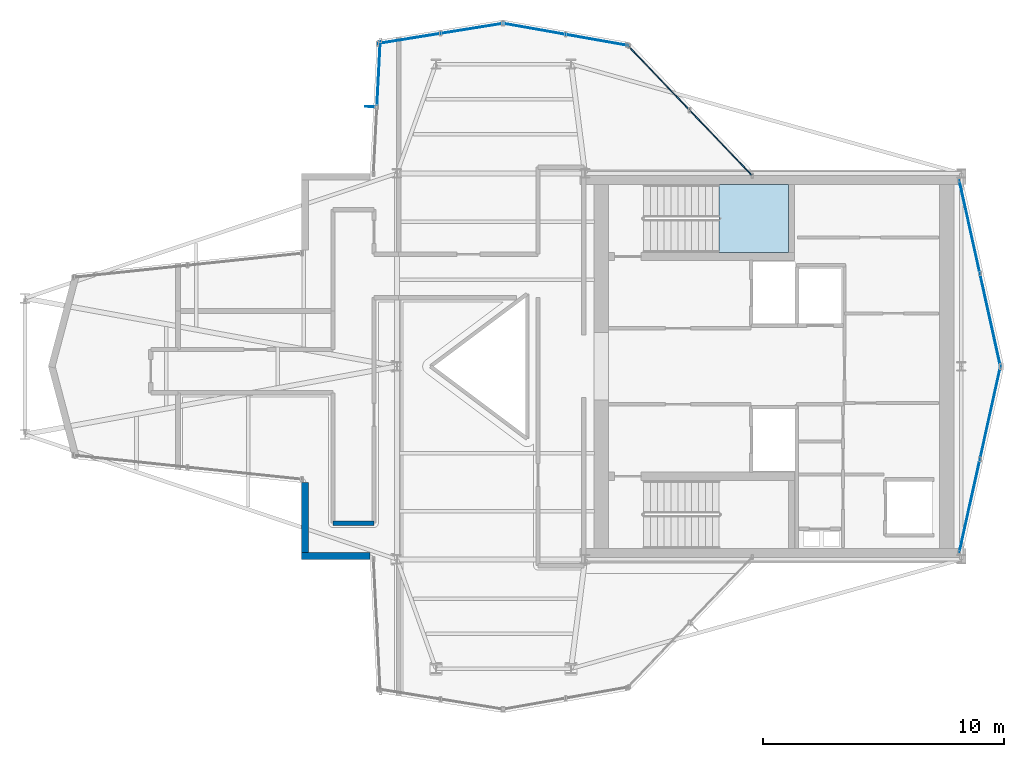
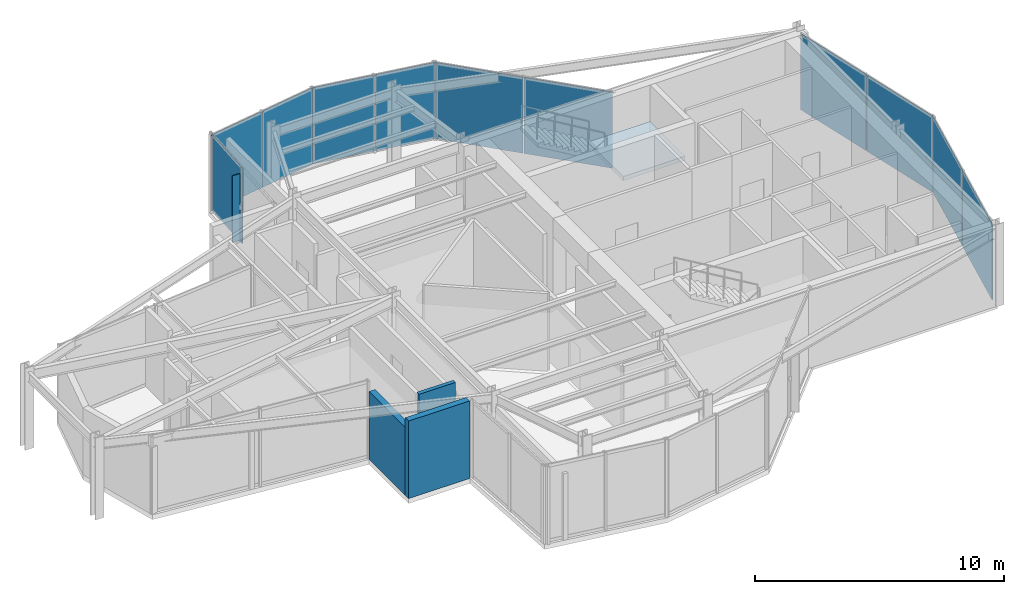
# One storey, part 10 of 14: 12 plates, 3 walls, 1 slab, 7 elements without a shape of their own.
"""IFC4 building model written with IfcOpenShell, lengths in metres."""

from ifc_helpers import new_model, si_unit, direction, frame, frame_2d, origin, origin_2d, place, context, subcontext, project, spatial, polyline, rectangle, outline, extrude, material, layer, layer_set, type_object, element, aggregate, save


model = new_model("IFC4")

# Units and contexts
model_context = context("Model", 3, precision=1e-05, world=origin(), true_north=direction((0.0, 1.0)))
body_context = subcontext(model_context, "Body", "Model", "MODEL_VIEW")
ifc_project = project(units=[si_unit("LENGTHUNIT", "METRE"), si_unit("AREAUNIT", "SQUARE_METRE"), si_unit("VOLUMEUNIT", "CUBIC_METRE"), si_unit("PLANEANGLEUNIT", "RADIAN"), si_unit("MASSUNIT", "GRAM", prefix="KILO")], contexts=[model_context])

# Site, building, storey
site_placement = place(None, origin())
site = spatial("IfcSite", under=ifc_project, at=site_placement, CompositionType="ELEMENT")
building_placement = place(site_placement, origin())
building = spatial("IfcBuilding", under=site, at=building_placement, Name="Veymaron Broadcast Tower", CompositionType="ELEMENT")
storey_placement = place(building_placement, frame((0.0, 0.0, 295.199951171875)))
storey = spatial("IfcBuildingStorey", under=building, at=storey_placement, Name="L69", CompositionType="ELEMENT", Elevation=295.199951171875)

# Curtain wall, plates
ifc_material_1 = material(Name="Anodised aluminium AA 6063-T6 and laminated low-E dark glass", Category="aluminium")
ifc_layer_1 = layer(ifc_material_1, 0.179931640625)
ifc_layer_set_1 = layer_set([ifc_layer_1], Name="Anodised aluminium AA 6063-T6 and laminated low-E dark glass")
curtain_wall_type = type_object("IfcCurtainWallType", Name="CW-SYS-06", PredefinedType="NOTDEFINED", material=ifc_layer_set_1)
curtain_wall_1_placement = place(storey_placement, origin())
curtain_wall_1 = element("IfcCurtainWall", 1, at=curtain_wall_1_placement, inside=storey, type_object=curtain_wall_type, Name="L69 dark-glass curtain wall CW-L69-E2-1", PredefinedType="NOTDEFINED")
ifc_material_2 = material(Name="Insulated dark-anodised aluminium spandrel panel 40 mm", Category="aluminium")
ifc_layer_2 = layer(ifc_material_2, 0.0400390625)
ifc_layer_set_2 = layer_set([ifc_layer_2], Name="Insulated dark-anodised aluminium spandrel panel 40 mm")
plate_type_1 = type_object("IfcPlateType", Name="CW-PNL-03", PredefinedType="CURTAIN_PANEL", material=ifc_layer_set_2)
plate_1_placement = place(storey_placement, frame((54.945068359375, 18.20458984375, 0.0400390625), z_axis=(0.0, 0.0, 1.0), x_axis=(0.21630329519, 0.976326218274, 0.0)))
plate_1 = element("IfcPlate", 2, at=plate_1_placement, type_object=plate_type_1, Name="CW-L69-E2-1 unitised curtain panel 0", PredefinedType="CURTAIN_PANEL", context=body_context, shape_type="SweptSolid", body=[
    extrude(rectangle(XDim=3.91796875, YDim=0.0400390625, at=origin_2d()), origin(), (0.0, 0.0, 1.0), 3.72998046875),
])
plate_2_placement = place(storey_placement, frame((55.805419921875, 22.08837890625, 0.0400390625), z_axis=(0.0, 0.0, 1.0), x_axis=(0.21630329519, 0.976326218274, 0.0)))
plate_2 = element("IfcPlate", 3, at=plate_2_placement, type_object=plate_type_1, Name="CW-L69-E2-1 unitised curtain panel 1", PredefinedType="CURTAIN_PANEL", context=body_context, shape_type="SweptSolid", body=[
    extrude(rectangle(XDim=3.91796875, YDim=0.0400390625, at=origin_2d()), origin(), (0.0, 0.0, 1.0), 3.72998046875),
])
aggregate(curtain_wall_1, [plate_1, plate_2])

curtain_wall_2_placement = place(storey_placement, origin())
curtain_wall_2 = element("IfcCurtainWall", 4, at=curtain_wall_2_placement, inside=storey, type_object=curtain_wall_type, Name="L69 dark-glass curtain wall CW-L69-E3-1", PredefinedType="NOTDEFINED")
plate_3_placement = place(storey_placement, frame((55.805419921875, 25.91162109375, 0.0400390625), z_axis=(0.0, 0.0, 1.0), x_axis=(-0.21630329519, 0.976326218274, 0.0)))
plate_3 = element("IfcPlate", 5, at=plate_3_placement, type_object=plate_type_1, Name="CW-L69-E3-1 unitised curtain panel 0", PredefinedType="CURTAIN_PANEL", context=body_context, shape_type="SweptSolid", body=[
    extrude(rectangle(XDim=3.91796875, YDim=0.0400390625, at=origin_2d()), origin(), (0.0, 0.0, 1.0), 3.72998046875),
])
plate_4_placement = place(storey_placement, frame((54.945068359375, 29.79541015625, 0.0400390625), z_axis=(0.0, 0.0, 1.0), x_axis=(-0.21630329519, 0.976326218274, 0.0)))
plate_4 = element("IfcPlate", 6, at=plate_4_placement, type_object=plate_type_1, Name="CW-L69-E3-1 unitised curtain panel 1", PredefinedType="CURTAIN_PANEL", context=body_context, shape_type="SweptSolid", body=[
    extrude(rectangle(XDim=3.91796875, YDim=0.0400390625, at=origin_2d()), origin(), (0.0, 0.0, 1.0), 3.72998046875),
])
aggregate(curtain_wall_2, [plate_3, plate_4])

curtain_wall_3_placement = place(storey_placement, origin())
curtain_wall_3 = element("IfcCurtainWall", 7, at=curtain_wall_3_placement, inside=storey, type_object=curtain_wall_type, Name="L69 dark-glass curtain wall CW-L69-E5-1", PredefinedType="NOTDEFINED")
plate_5_placement = place(storey_placement, frame((44.636474609375, 33.261474609375, 0.0400390625), z_axis=(0.0, 0.0, 1.0), x_axis=(-0.690869792815, 0.722979203972, 0.0)))
plate_5 = element("IfcPlate", 8, at=plate_5_placement, type_object=plate_type_1, Name="CW-L69-E5-1 unitised curtain panel 0", PredefinedType="CURTAIN_PANEL", context=body_context, shape_type="SweptSolid", body=[
    extrude(rectangle(XDim=3.697265625, YDim=0.0400390625, at=origin_2d()), origin(), (0.0, 0.0, 1.0), 3.72998046875),
])
plate_6_placement = place(storey_placement, frame((42.04052734375, 35.977783203125, 0.0400390625), z_axis=(0.0, 0.0, 1.0), x_axis=(-0.690869792815, 0.722979203972, 0.0)))
plate_6 = element("IfcPlate", 9, at=plate_6_placement, type_object=plate_type_1, Name="CW-L69-E5-1 unitised curtain panel 1", PredefinedType="CURTAIN_PANEL", context=body_context, shape_type="SweptSolid", body=[
    extrude(rectangle(XDim=3.697265625, YDim=0.0400390625, at=origin_2d()), origin(), (0.0, 0.0, 1.0), 3.72998046875),
])
aggregate(curtain_wall_3, [plate_5, plate_6])

curtain_wall_4_placement = place(storey_placement, origin())
curtain_wall_4 = element("IfcCurtainWall", 10, at=curtain_wall_4_placement, inside=storey, type_object=curtain_wall_type, Name="L69 dark-glass curtain wall CW-L69-E6-1", PredefinedType="NOTDEFINED")
plate_7_placement = place(storey_placement, frame((39.5107421875, 37.527099609375, 0.0400390625), z_axis=(0.0, 0.0, 1.0), x_axis=(-0.984634513959, 0.174627815429, 0.0)))
plate_7 = element("IfcPlate", 11, at=plate_7_placement, type_object=plate_type_1, Name="CW-L69-E6-1 unitised curtain panel 0", PredefinedType="CURTAIN_PANEL", context=body_context, shape_type="SweptSolid", body=[
    extrude(rectangle(XDim=2.59814453125, YDim=0.0400390625, at=origin_2d()), origin(), (0.0, 0.0, 1.0), 3.72998046875),
])
plate_8_placement = place(storey_placement, frame((36.8935546875, 37.9912109375, 0.0400390625), z_axis=(0.0, 0.0, 1.0), x_axis=(-0.984634513959, 0.174627815429, 0.0)))
plate_8 = element("IfcPlate", 12, at=plate_8_placement, type_object=plate_type_1, Name="CW-L69-E6-1 unitised curtain panel 1", PredefinedType="CURTAIN_PANEL", context=body_context, shape_type="SweptSolid", body=[
    extrude(rectangle(XDim=2.59814453125, YDim=0.0400390625, at=origin_2d()), origin(), (0.0, 0.0, 1.0), 3.72998046875),
])
aggregate(curtain_wall_4, [plate_7, plate_8])

curtain_wall_5_placement = place(storey_placement, origin())
curtain_wall_5 = element("IfcCurtainWall", 13, at=curtain_wall_5_placement, inside=storey, type_object=curtain_wall_type, Name="L69 dark-glass curtain wall CW-L69-E7-1", PredefinedType="NOTDEFINED")
plate_9_placement = place(storey_placement, frame((34.32275390625, 38.011962890625, 0.0400390625), z_axis=(0.0, 0.0, 1.0), x_axis=(-0.987250420904, -0.15917476692, 0.0)))
plate_9 = element("IfcPlate", 14, at=plate_9_placement, type_object=plate_type_1, Name="CW-L69-E7-1 unitised curtain panel 0", PredefinedType="CURTAIN_PANEL", context=body_context, shape_type="SweptSolid", body=[
    extrude(rectangle(XDim=2.59130859375, YDim=0.0400390625, at=origin_2d()), origin(), (0.0, 0.0, 1.0), 3.72998046875),
])
plate_10_placement = place(storey_placement, frame((31.70556640625, 37.590087890625, 0.0400390625), z_axis=(0.0, 0.0, 1.0), x_axis=(-0.987250420904, -0.15917476692, 0.0)))
plate_10 = element("IfcPlate", 15, at=plate_10_placement, type_object=plate_type_1, Name="CW-L69-E7-1 unitised curtain panel 1", PredefinedType="CURTAIN_PANEL", context=body_context, shape_type="SweptSolid", body=[
    extrude(rectangle(XDim=2.59130859375, YDim=0.0400390625, at=origin_2d()), origin(), (0.0, 0.0, 1.0), 3.72998046875),
])
aggregate(curtain_wall_5, [plate_9, plate_10])

# Curtain wall, plate
curtain_wall_6_placement = place(storey_placement, origin())
curtain_wall_6 = element("IfcCurtainWall", 16, at=curtain_wall_6_placement, inside=storey, type_object=curtain_wall_type, Name="L69 dark-glass curtain wall CW-L69-E8-1", PredefinedType="NOTDEFINED")
plate_11_placement = place(storey_placement, frame((30.443359375, 36.130615234375, 0.0400390625), z_axis=(0.0, 0.0, 1.0), x_axis=(-0.051377316741, -0.998679313556, 0.0)))
plate_11 = element("IfcPlate", 17, at=plate_11_placement, type_object=plate_type_1, Name="CW-L69-E8-1 unitised curtain panel 0", PredefinedType="CURTAIN_PANEL", context=body_context, shape_type="SweptSolid", body=[
    extrude(rectangle(XDim=2.7021484375, YDim=0.0400390625, at=origin_2d()), origin(), (0.0, 0.0, 1.0), 3.72998046875),
])
aggregate(curtain_wall_6, [plate_11])

# Plate
ifc_material_3 = material(Name="Dark-anodised aluminium AA 6061-T6", Category="aluminium")
ifc_layer_3 = layer(ifc_material_3, 0.030029296875)
ifc_layer_set_3 = layer_set([ifc_layer_3], Name="Dark-anodised aluminium AA 6061-T6")
plate_type_2 = type_object("IfcPlateType", Name="FIN-CHEV-02", PredefinedType="USERDEFINED", material=ifc_layer_set_3)
plate_12_placement = place(storey_placement, frame((30.06787109375, 34.76708984375, 0.2666015625), z_axis=(0.0, 0.0, 1.0), x_axis=(-0.998679313556, 0.051377316741, 0.0)))
element("IfcPlate", 18, at=plate_12_placement, inside=storey, type_object=plate_type_2, Name="CW-L69-E8-1 chevron fin 1", ObjectType="FIN", PredefinedType="USERDEFINED", context=body_context, shape_type="SweptSolid", body=[
    extrude(rectangle(XDim=0.35009765625, YDim=0.034912109375, at=origin_2d()), origin(), (0.0, 0.0, 1.0), 3.276611328125),
])

# Stair, slab
ifc_material_4 = material(Name="Concrete C50/60", Category="concrete")
stair_type = type_object("IfcStairType", Name="STAIR-CORE-1", PredefinedType="HALF_TURN_STAIR", material=ifc_material_4)
stair_placement = place(storey_placement, origin())
stair = element("IfcStair", 19, at=stair_placement, inside=storey, type_object=stair_type, Name="L69 North protected dog-leg exit stair ST1", PredefinedType="HALF_TURN_STAIR")
ifc_layer_4 = layer(ifc_material_4, 0.199951171875)
ifc_layer_set_4 = layer_set([ifc_layer_4], Name="Concrete C50/60")
slab_type = type_object("IfcSlabType", Name="SLAB-STAIR-LDG", PredefinedType="LANDING", material=ifc_layer_set_4)
slab_placement = place(storey_placement, frame((0.0, 0.0, 1.824951171875)))
slab = element("IfcSlab", 20, at=slab_placement, type_object=slab_type, Name="ST1 landing 1", PredefinedType="LANDING", context=body_context, shape_type="SweptSolid", body=[
    extrude(outline(polyline([(44.56494140625, 28.72998046875), (47.43994140625, 28.72998046875), (47.43994140625, 31.550048828125), (44.56494140625, 31.550048828125), (44.56494140625, 28.72998046875)])), origin(), (0.0, 0.0, 1.0), 0.2001953125),
])
aggregate(stair, [slab])

# Walls
ifc_material_5 = material(Name="Precast concrete C40/50", Category="concrete")
ifc_layer_5 = layer(ifc_material_5, 0.280029296875)
ifc_layer_set_5 = layer_set([ifc_layer_5], Name="Precast concrete C40/50")
wall_type_1 = type_object("IfcWallType", Name="WALL-EXT-280", PredefinedType="STANDARD", material=ifc_layer_set_5)
wall_1_placement = place(storey_placement, frame((27.3896484375, 19.177001953125, 0.0), z_axis=(0.0, 0.0, 1.0), x_axis=(0.0, -1.0, 0.0)))
element("IfcWall", 21, at=wall_1_placement, inside=storey, type_object=wall_type_1, Name="L69 notched corner facade pier 15-1", PredefinedType="STANDARD", context=body_context, shape_type="SweptSolid", body=[
    extrude(rectangle(XDim=3.177001953125, YDim=0.280029296875, at=frame_2d((1.58837890625, 0.0))), origin(), (0.0, 0.0, 1.0), 3.339111328125),
])
wall_2_placement = place(storey_placement, frame((27.24951171875, 16.139892578125, 0.0), z_axis=(0.0, 0.0, 1.0), x_axis=(1.0, 0.0, 0.0)))
element("IfcWall", 22, at=wall_2_placement, inside=storey, type_object=wall_type_1, Name="L69 notched corner facade pier 16-1", PredefinedType="STANDARD", context=body_context, shape_type="SweptSolid", body=[
    extrude(rectangle(XDim=2.84130859375, YDim=0.280029296875, at=frame_2d((1.420654296875, 0.0))), origin(), (0.0, 0.0, 1.0), 3.81005859375),
])
ifc_material_6 = material(Name="Concrete C40/50", Category="concrete")
ifc_layer_6 = layer(ifc_material_6, 0.179931640625)
ifc_layer_set_6 = layer_set([ifc_layer_6], Name="Concrete C40/50")
wall_type_2 = type_object("IfcWallType", Name="WALL-FIRE-180", PredefinedType="SOLIDWALL", material=ifc_layer_set_6)
wall_3_placement = place(storey_placement, frame((28.550048828125, 17.5, 0.0), z_axis=(0.0, 0.0, 1.0), x_axis=(1.0, 0.0, 0.0)))
element("IfcWall", 23, at=wall_3_placement, inside=storey, type_object=wall_type_2, Name="L69 partition IW-L69-P08", PredefinedType="SOLIDWALL", context=body_context, shape_type="SweptSolid", body=[
    extrude(rectangle(XDim=1.699951171875, YDim=0.179931640625, at=frame_2d((0.85009765625, 0.0))), origin(), (0.0, 0.0, 1.0), 3.81005859375),
])

save(model, "model.ifc")
